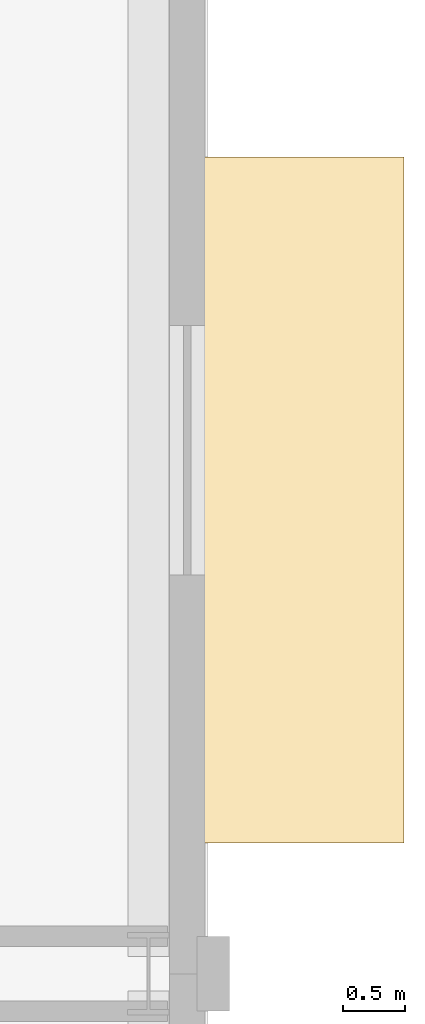
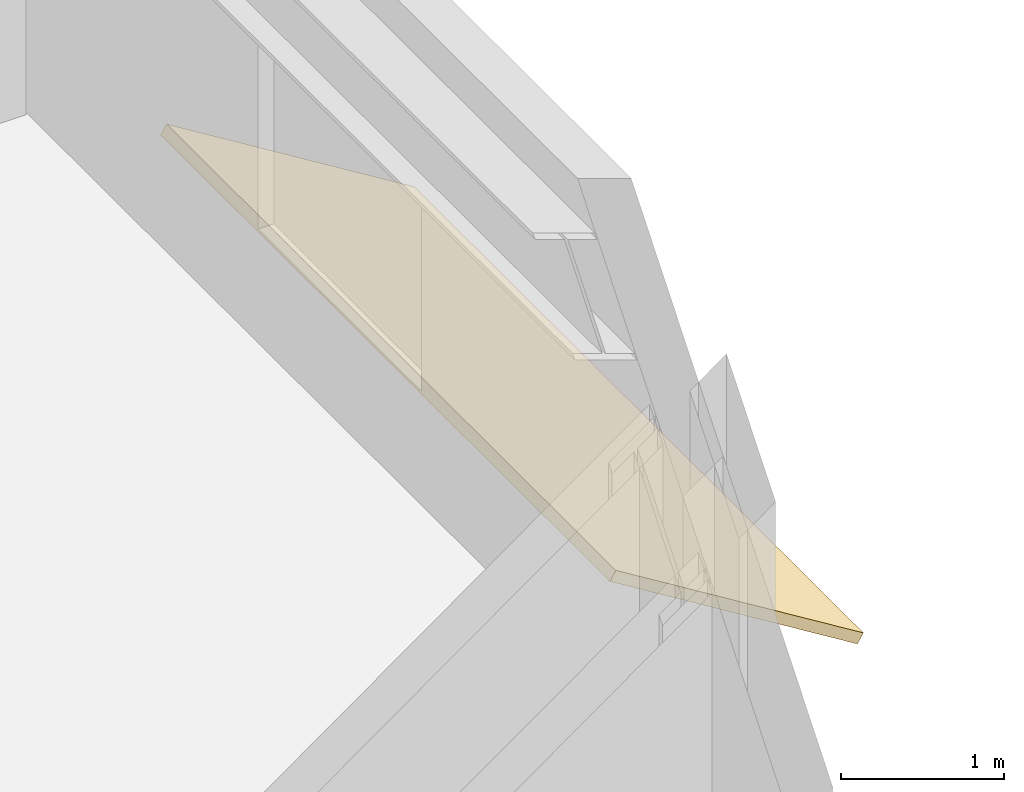
# One storey, part 34 of 34: 1 covering.
"""IFC4 building model written with IfcOpenShell, lengths in metres."""

from ifc_helpers import new_model, si_unit, direction, frame, origin, place, context, subcontext, project, spatial, polyline, outline, extrude, material, layer, layer_set, type_object, element, save


model = new_model("IFC4")

# Units and contexts
model_context = context("Model", 3, precision=1e-05, world=origin(), true_north=direction((0.0, 1.0)))
body_context = subcontext(model_context, "Body", "Model", "MODEL_VIEW")
ifc_project = project(units=[si_unit("LENGTHUNIT", "METRE"), si_unit("AREAUNIT", "SQUARE_METRE"), si_unit("VOLUMEUNIT", "CUBIC_METRE"), si_unit("PLANEANGLEUNIT", "RADIAN"), si_unit("MASSUNIT", "GRAM", prefix="KILO")], contexts=[model_context])

# Site, building, storey
site_placement = place(None, origin())
site = spatial("IfcSite", under=ifc_project, at=site_placement, CompositionType="ELEMENT")
building_placement = place(site_placement, origin())
building = spatial("IfcBuilding", under=site, at=building_placement, Name="Sollismere Congress Hotel", CompositionType="ELEMENT")
storey_placement = place(building_placement, frame((0.0, 0.0, 23.39990234375)))
storey = spatial("IfcBuildingStorey", under=building, at=storey_placement, Name="L05", CompositionType="ELEMENT", Elevation=23.39990234375)

# Covering
ifc_material = material(Name="Standing-Seam Titanium-Zinc Roof Assembly")
ifc_layer = layer(ifc_material, 0.054931640625, Name="Standing-Seam Titanium-Zinc Roof Assembly")
ifc_layer_set = layer_set([ifc_layer], Name="Standing-Seam Titanium-Zinc Roof Assembly")
covering_type = type_object("IfcCoveringType", Name="CV-RFZNC", PredefinedType="ROOFING", material=ifc_layer_set)
covering_placement = place(storey_placement, frame((166.258056640625, 51.050048828125, 0.701904296875), z_axis=(0.525123792841, 0.0, 0.851025852834), x_axis=(0.851025852834, 0.0, -0.525123792841)))
element("IfcCovering", 1, at=covering_placement, inside=storey, type_object=covering_type, Name="Cikma bay sacak hood SL-CKH-15", PredefinedType="ROOFING", context=body_context, shape_type="SweptSolid", body=[
    extrude(outline(polyline([(0.0, 0.0), (2.056396484375, 0.0), (2.056396484375, 5.5), (0.0, 5.5), (0.0, 0.0)])), origin(), (0.0, 0.0, 1.0), 0.080078125),
])

save(model, "model.ifc")
